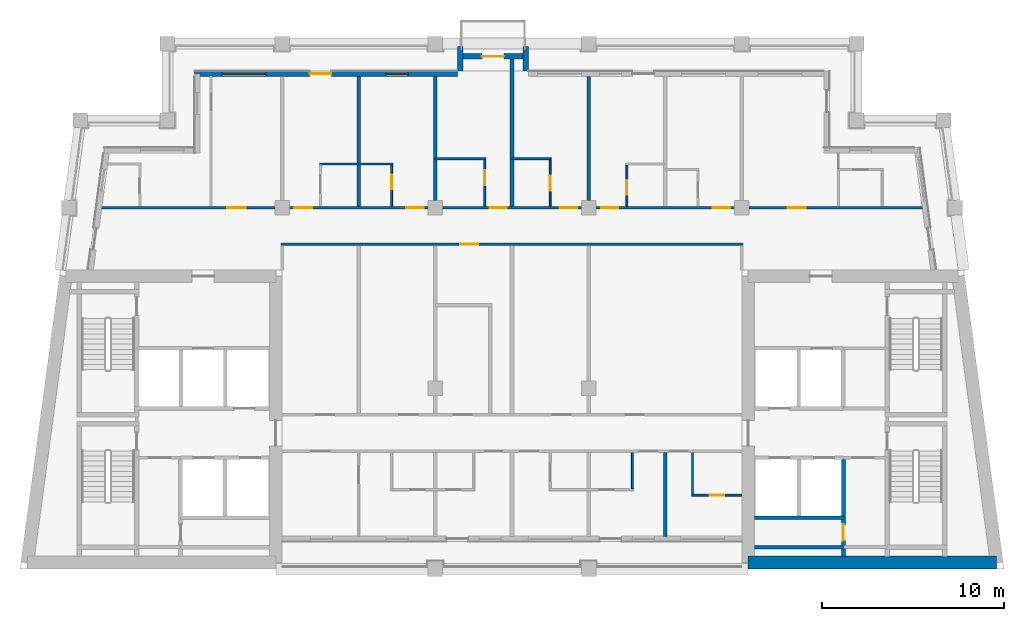
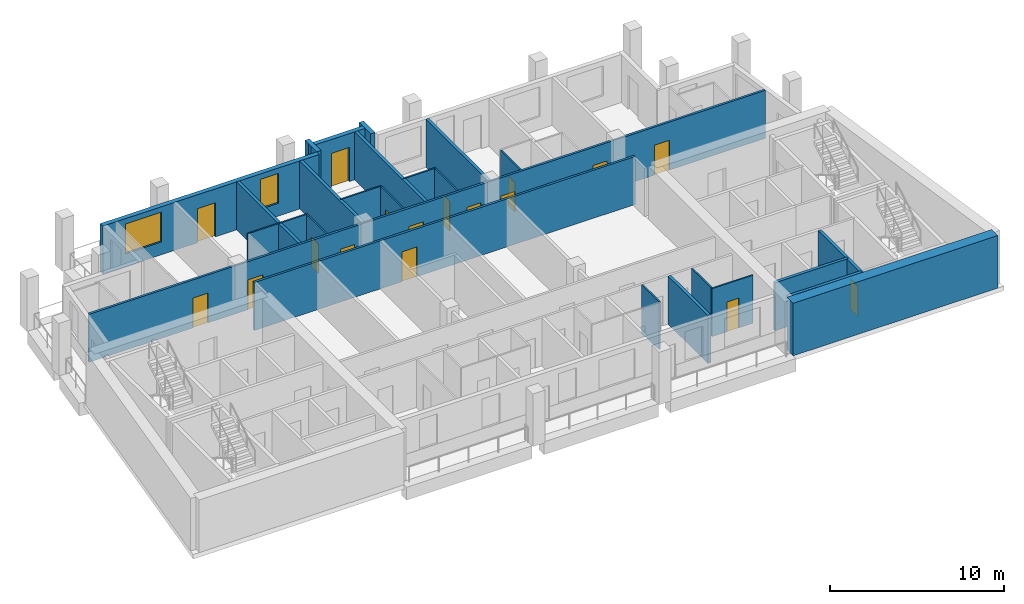
# One storey, part 4 of 9: 25 walls, 17 doors, 2 windows, 19 openings.
"""IFC4 building model written with IfcOpenShell, lengths in metres."""

from ifc_helpers import new_model, si_unit, direction, frame, frame_2d, origin, place, context, subcontext, project, spatial, rectangle, extrude, material, layer, layer_set, type_object, element, fill, save


model = new_model("IFC4")

# Units and contexts
model_context = context("Model", 3, precision=1e-05, world=origin(), true_north=direction((0.0, 1.0)))
body_context = subcontext(model_context, "Body", "Model", "MODEL_VIEW")
ifc_project = project(units=[si_unit("LENGTHUNIT", "METRE"), si_unit("AREAUNIT", "SQUARE_METRE"), si_unit("VOLUMEUNIT", "CUBIC_METRE"), si_unit("PLANEANGLEUNIT", "RADIAN"), si_unit("MASSUNIT", "GRAM", prefix="KILO")], contexts=[model_context])

# Site, building, storey
site_placement = place(None, origin())
site = spatial("IfcSite", under=ifc_project, at=site_placement, CompositionType="ELEMENT")
building_placement = place(site_placement, origin())
building = spatial("IfcBuilding", under=site, at=building_placement, Name="Candeia Pilgrim Tower and Theatre", CompositionType="ELEMENT")
storey_placement = place(building_placement, frame((0.0, 0.0, 296.0)))
storey = spatial("IfcBuildingStorey", under=building, at=storey_placement, Name="L72", CompositionType="ELEMENT", Elevation=296.0)

# Wall
ifc_material_1 = material(Name="Concrete C40/50", Category="concrete")
ifc_layer_1 = layer(ifc_material_1, 0.699951171875)
ifc_layer_set_1 = layer_set([ifc_layer_1], Name="Core wall 700 C40/50")
wall_type_1 = type_object("IfcWallType", Name="Core wall 700 C40/50", PredefinedType="SHEAR", material=ifc_layer_set_1)
wall_1_placement = place(storey_placement, frame((139.9765625, 116.35009765625, 0.0), z_axis=(0.0, 0.0, 1.0), x_axis=(-1.0, 0.0, 0.0)))
element("IfcWall", 1, at=wall_1_placement, inside=storey, type_object=wall_type_1, Name="Core wall E3", PredefinedType="SHEAR", context=body_context, shape_type="SweptSolid", body=[
    extrude(rectangle(XDim=13.62646484375, YDim=0.699951171875, at=frame_2d((6.813232421875, 0.0))), origin(), (0.0, 0.0, 1.0), 3.699951171875),
])

# Wall, openings, door, windows
ifc_material_2 = material(Name="Ceramic block masonry", Category="masonry")
ifc_layer_2 = layer(ifc_material_2, 0.300048828125)
ifc_layer_set_2 = layer_set([ifc_layer_2], Name="EW1 glazing-line wall 300")
wall_type_2 = type_object("IfcWallType", Name="EW1 glazing-line wall 300", PredefinedType="SOLIDWALL", material=ifc_layer_set_2)
wall_2_placement = place(storey_placement, frame((110.39990234375, 143.14990234375, 0.0), z_axis=(0.0, 0.0, 1.0), x_axis=(-1.0, 0.0, 0.0)))
wall_2 = element("IfcWall", 2, at=wall_2_placement, inside=storey, type_object=wall_type_2, Name="External wall L72-5.1", PredefinedType="SOLIDWALL", context=body_context, shape_type="SweptSolid", body=[
    extrude(rectangle(XDim=14.39990234375, YDim=0.300048828125, at=frame_2d((7.199951171875, 0.0))), origin(), (0.0, 0.0, 1.0), 3.3798828125),
])
opening_1_placement = place(wall_2_placement, frame((2.699951171875, 0.0, 0.89990234375)))
opening_1 = element("IfcOpeningElement", 3, at=opening_1_placement, cuts=wall_2, Name="Opening W-B", PredefinedType="OPENING", context=body_context, shape_type="SweptSolid", body=[
    extrude(rectangle(XDim=1.199951171875, YDim=2.10009765625, at=frame_2d((0.60009765625, 1.050048828125))), frame((0.0, 0.16015625, 0.0), z_axis=(0.0, -1.0, 0.0), x_axis=(1.0, 0.0, 0.0)), (0.0, 0.0, 1.0), 0.320068359375),
])
opening_2_placement = place(wall_2_placement, frame((6.89990234375, 0.0, 0.0)))
opening_2 = element("IfcOpeningElement", 4, at=opening_2_placement, cuts=wall_2, Name="Opening L72-ED673", PredefinedType="OPENING", context=body_context, shape_type="SweptSolid", body=[
    extrude(rectangle(XDim=1.199951171875, YDim=2.39990234375, at=frame_2d((0.60009765625, 1.199951171875))), frame((0.0, 0.16015625, 0.0), z_axis=(0.0, -1.0, 0.0), x_axis=(1.0, 0.0, 0.0)), (0.0, 0.0, 1.0), 0.320068359375),
])
opening_3_placement = place(wall_2_placement, frame((10.5, 0.0, 0.89990234375)))
opening_3 = element("IfcOpeningElement", 5, at=opening_3_placement, cuts=wall_2, Name="Opening W-A", PredefinedType="OPENING", context=body_context, shape_type="SweptSolid", body=[
    extrude(rectangle(XDim=2.39990234375, YDim=2.10009765625, at=frame_2d((1.199951171875, 1.050048828125))), frame((0.0, 0.16015625, 0.0), z_axis=(0.0, -1.0, 0.0), x_axis=(1.0, 0.0, 0.0)), (0.0, 0.0, 1.0), 0.320068359375),
])
ifc_material_3 = material(Name="Aluminium framed glazed door", Category="aluminium")
door_type_1 = type_object("IfcDoorType", Name="Loggia door 1200x2400", OperationType="DOUBLE_DOOR_SINGLE_SWING", PredefinedType="DOOR", material=ifc_material_3)
door_1_placement = place(opening_2_placement, origin())
door_1 = element("IfcDoor", 6, at=door_1_placement, inside=storey, type_object=door_type_1, Name="Loggia door L72-ED673", OperationType="DOUBLE_DOOR_SINGLE_SWING", OverallHeight=2.39990234375, OverallWidth=1.199951171875, PredefinedType="DOOR", context=body_context, shape_type="SweptSolid", body=[
    extrude(rectangle(XDim=1.199951171875, YDim=2.39990234375, at=frame_2d((0.60009765625, 1.199951171875))), frame((0.0, 0.02490234375, 0.0), z_axis=(0.0, -1.0, 0.0), x_axis=(1.0, 0.0, 0.0)), (0.0, 0.0, 1.0), 0.050048828125),
])
fill(opening_2, door_1)
ifc_material_4 = material(Name="Aluminium framed double glazing", Category="aluminium")
window_type_1 = type_object("IfcWindowType", Name="W-A window 2400x2100", PartitioningType="DOUBLE_PANEL_VERTICAL", PredefinedType="WINDOW", material=ifc_material_4)
window_1_placement = place(opening_3_placement, origin())
window_1 = element("IfcWindow", 7, at=window_1_placement, inside=storey, type_object=window_type_1, Name="Window W-A L72", OverallHeight=2.10009765625, OverallWidth=2.39990234375, PartitioningType="SINGLE_PANEL", PredefinedType="WINDOW", context=body_context, shape_type="SweptSolid", body=[
    extrude(rectangle(XDim=2.39990234375, YDim=2.10009765625, at=frame_2d((1.199951171875, 1.050048828125))), frame((0.0, 0.030029296875, 0.0), z_axis=(0.0, -1.0, 0.0), x_axis=(1.0, 0.0, 0.0)), (0.0, 0.0, 1.0), 0.06005859375),
])
fill(opening_3, window_1)
window_type_2 = type_object("IfcWindowType", Name="W-B window 1200x2100", PartitioningType="SINGLE_PANEL", PredefinedType="WINDOW", material=ifc_material_4)
window_2_placement = place(opening_1_placement, origin())
window_2 = element("IfcWindow", 8, at=window_2_placement, inside=storey, type_object=window_type_2, Name="Window W-B L72", OverallHeight=2.10009765625, OverallWidth=1.199951171875, PartitioningType="SINGLE_PANEL", PredefinedType="WINDOW", context=body_context, shape_type="SweptSolid", body=[
    extrude(rectangle(XDim=1.199951171875, YDim=2.10009765625, at=frame_2d((0.60009765625, 1.050048828125))), frame((0.0, 0.030029296875, 0.0), z_axis=(0.0, -1.0, 0.0), x_axis=(1.0, 0.0, 0.0)), (0.0, 0.0, 1.0), 0.06005859375),
])
fill(opening_1, window_2)

# Walls
ifc_layer_3 = layer(ifc_material_2, 0.300048828125)
ifc_layer_set_3 = layer_set([ifc_layer_3], Name="EW2 entrance infill wall 300")
wall_type_3 = type_object("IfcWallType", Name="EW2 entrance infill wall 300", PredefinedType="SOLIDWALL", material=ifc_layer_set_3)
for number, where, z_axis, x_axis, name in (
    (9, (114.14990234375, 143.300048828125, 0.0), (0.0, 0.0, 1.0), (0.0, 1.0, 0.0), "Alcove wall L72"),
    (10, (110.550048828125, 143.300048828125, 0.0), (0.0, 0.0, 1.0), (0.0, 1.0, 0.0), "Alcove wall L72"),
):
    element("IfcWall", number, at=place(storey_placement, frame(where, z_axis=z_axis, x_axis=x_axis)), inside=storey, type_object=wall_type_3, Name=name, PredefinedType="SOLIDWALL", context=body_context, shape_type="SweptSolid", body=[
        extrude(rectangle(XDim=1.349853515625, YDim=0.300048828125, at=frame_2d((0.6748046875, 0.0))), origin(), (0.0, 0.0, 1.0), 3.3798828125),
    ])

# Wall, opening, door
wall_3_placement = place(storey_placement, frame((114.300048828125, 144.10009765625, 0.0), z_axis=(0.0, 0.0, 1.0), x_axis=(-1.0, 0.0, 0.0)))
wall_3 = element("IfcWall", 11, at=wall_3_placement, inside=storey, type_object=wall_type_3, Name="Alcove wall L72", PredefinedType="SOLIDWALL", context=body_context, shape_type="SweptSolid", body=[
    extrude(rectangle(XDim=3.900146484375, YDim=0.300048828125, at=frame_2d((1.9501953125, 0.0))), origin(), (0.0, 0.0, 1.0), 3.3798828125),
])
opening_4_placement = place(wall_3_placement, frame((1.35009765625, 0.0, 0.0)))
opening_4 = element("IfcOpeningElement", 12, at=opening_4_placement, cuts=wall_3, Name="Opening L72-ED674", PredefinedType="OPENING", context=body_context, shape_type="SweptSolid", body=[
    extrude(rectangle(XDim=1.199951171875, YDim=2.39990234375, at=frame_2d((0.60009765625, 1.199951171875))), frame((0.0, 0.16015625, 0.0), z_axis=(0.0, -1.0, 0.0), x_axis=(1.0, 0.0, 0.0)), (0.0, 0.0, 1.0), 0.320068359375),
])
door_2_placement = place(opening_4_placement, origin())
door_2 = element("IfcDoor", 13, at=door_2_placement, inside=storey, type_object=door_type_1, Name="Balcony door L72-ED674", OperationType="DOUBLE_DOOR_SINGLE_SWING", OverallHeight=2.39990234375, OverallWidth=1.199951171875, PredefinedType="DOOR", context=body_context, shape_type="SweptSolid", body=[
    extrude(rectangle(XDim=1.199951171875, YDim=2.39990234375, at=frame_2d((0.60009765625, 1.199951171875))), frame((0.0, 0.02490234375, 0.0), z_axis=(0.0, -1.0, 0.0), x_axis=(1.0, 0.0, 0.0)), (0.0, 0.0, 1.0), 0.050048828125),
])
fill(opening_4, door_2)

ifc_material_5 = material(Name="Gypsum board partition on steel studs", Category="steel")
ifc_layer_4 = layer(ifc_material_5, 0.10009765625)
ifc_layer_set_4 = layer_set([ifc_layer_4], Name="PW-100 room partition")
wall_type_4 = type_object("IfcWallType", Name="PW-100 room partition", PredefinedType="PARTITIONING", material=ifc_layer_set_4)
wall_4_placement = place(storey_placement, frame((123.25, 120.050048828125, 0.0), z_axis=(0.0, 0.0, 1.0), x_axis=(1.0, 0.0, 0.0)))
wall_4 = element("IfcWall", 14, at=wall_4_placement, inside=storey, type_object=wall_type_4, Name="Room partition L72-009", PredefinedType="PARTITIONING", context=body_context, shape_type="SweptSolid", body=[
    extrude(rectangle(XDim=2.75, YDim=0.10009765625, at=frame_2d((1.375, 0.0))), origin(), (0.0, 0.0, 1.0), 3.3798828125),
])
opening_5_placement = place(wall_4_placement, frame((1.0, 0.0, 0.0)))
opening_5 = element("IfcOpeningElement", 15, at=opening_5_placement, cuts=wall_4, Name="Opening L72-D019", PredefinedType="OPENING", context=body_context, shape_type="SweptSolid", body=[
    extrude(rectangle(XDim=0.800048828125, YDim=2.10009765625, at=frame_2d((0.39990234375, 1.050048828125))), frame((0.0, 0.06005859375, 0.0), z_axis=(0.0, -1.0, 0.0), x_axis=(1.0, 0.0, 0.0)), (0.0, 0.0, 1.0), 0.1201171875),
])
ifc_material_6 = material(Name="Timber door leaf", Category="wood")
door_type_2 = type_object("IfcDoorType", Name="D-800", OperationType="NOTDEFINED", PredefinedType="DOOR", material=ifc_material_6)
door_3_placement = place(opening_5_placement, origin())
door_3 = element("IfcDoor", 16, at=door_3_placement, inside=storey, type_object=door_type_2, Name="Door L72-D019", OperationType="SINGLE_SWING_LEFT", OverallHeight=2.10009765625, OverallWidth=0.800048828125, PredefinedType="DOOR", context=body_context, shape_type="SweptSolid", body=[
    extrude(rectangle(XDim=0.800048828125, YDim=2.10009765625, at=frame_2d((0.39990234375, 1.050048828125))), frame((0.0, 0.02490234375, 0.0), z_axis=(0.0, -1.0, 0.0), x_axis=(1.0, 0.0, 0.0)), (0.0, 0.0, 1.0), 0.050048828125),
])
fill(opening_5, door_3)

# Walls
wall_5_placement = place(storey_placement, frame((102.85009765625, 138.199951171875, 0.0), z_axis=(0.0, 0.0, 1.0), x_axis=(1.0, 0.0, 0.0)))
element("IfcWall", 17, at=wall_5_placement, inside=storey, type_object=wall_type_4, Name="Room partition L72-036", PredefinedType="PARTITIONING", context=body_context, shape_type="SweptSolid", body=[
    extrude(rectangle(XDim=4.0, YDim=0.10009765625, at=frame_2d((2.0, 0.0))), origin(), (0.0, 0.0, 1.0), 3.3798828125),
])
wall_6_placement = place(storey_placement, frame((109.199951171875, 138.5, 0.0), z_axis=(0.0, 0.0, 1.0), x_axis=(1.0, 0.0, 0.0)))
element("IfcWall", 18, at=wall_6_placement, inside=storey, type_object=wall_type_4, Name="Room partition L72-038", PredefinedType="PARTITIONING", context=body_context, shape_type="SweptSolid", body=[
    extrude(rectangle(XDim=2.75, YDim=0.10009765625, at=frame_2d((1.375, 0.0))), origin(), (0.0, 0.0, 1.0), 3.3798828125),
])
wall_7_placement = place(storey_placement, frame((113.39990234375, 138.5, 0.0), z_axis=(0.0, 0.0, 1.0), x_axis=(1.0, 0.0, 0.0)))
element("IfcWall", 19, at=wall_7_placement, inside=storey, type_object=wall_type_4, Name="Room partition L72-039", PredefinedType="PARTITIONING", context=body_context, shape_type="SweptSolid", body=[
    extrude(rectangle(XDim=2.150146484375, YDim=0.10009765625, at=frame_2d((1.0751953125, 0.0))), origin(), (0.0, 0.0, 1.0), 3.3798828125),
])

# Wall, opening, door
wall_8_placement = place(storey_placement, frame((106.800048828125, 135.875, 0.0), z_axis=(0.0, 0.0, 1.0), x_axis=(0.0, 1.0, 0.0)))
wall_8 = element("IfcWall", 20, at=wall_8_placement, inside=storey, type_object=wall_type_4, Name="Room partition L72-058", PredefinedType="PARTITIONING", context=body_context, shape_type="SweptSolid", body=[
    extrude(rectangle(XDim=2.27490234375, YDim=0.10009765625, at=frame_2d((1.137451171875, 0.0))), origin(), (0.0, 0.0, 1.0), 3.3798828125),
])
opening_6_placement = place(wall_8_placement, frame((0.949951171875, 0.0, 0.0)))
opening_6 = element("IfcOpeningElement", 21, at=opening_6_placement, cuts=wall_8, Name="Opening L72-D026", PredefinedType="OPENING", context=body_context, shape_type="SweptSolid", body=[
    extrude(rectangle(XDim=0.800048828125, YDim=2.10009765625, at=frame_2d((0.39990234375, 1.050048828125))), frame((0.0, 0.06005859375, 0.0), z_axis=(0.0, -1.0, 0.0), x_axis=(1.0, 0.0, 0.0)), (0.0, 0.0, 1.0), 0.1201171875),
])
door_4_placement = place(opening_6_placement, origin())
door_4 = element("IfcDoor", 22, at=door_4_placement, inside=storey, type_object=door_type_2, Name="Door L72-D026", OperationType="SINGLE_SWING_RIGHT", OverallHeight=2.10009765625, OverallWidth=0.800048828125, PredefinedType="DOOR", context=body_context, shape_type="SweptSolid", body=[
    extrude(rectangle(XDim=0.800048828125, YDim=2.10009765625, at=frame_2d((0.39990234375, 1.050048828125))), frame((0.0, 0.02490234375, 0.0), z_axis=(0.0, -1.0, 0.0), x_axis=(1.0, 0.0, 0.0)), (0.0, 0.0, 1.0), 0.050048828125),
])
fill(opening_6, door_4)

wall_9_placement = place(storey_placement, frame((111.89990234375, 135.875, 0.0), z_axis=(0.0, 0.0, 1.0), x_axis=(0.0, 1.0, 0.0)))
wall_9 = element("IfcWall", 23, at=wall_9_placement, inside=storey, type_object=wall_type_4, Name="Room partition L72-063", PredefinedType="PARTITIONING", context=body_context, shape_type="SweptSolid", body=[
    extrude(rectangle(XDim=2.574951171875, YDim=0.10009765625, at=frame_2d((1.28759765625, 0.0))), origin(), (0.0, 0.0, 1.0), 3.3798828125),
])
opening_7_placement = place(wall_9_placement, frame((1.175048828125, 0.0, 0.0)))
opening_7 = element("IfcOpeningElement", 24, at=opening_7_placement, cuts=wall_9, Name="Opening L72-D028", PredefinedType="OPENING", context=body_context, shape_type="SweptSolid", body=[
    extrude(rectangle(XDim=0.800048828125, YDim=2.10009765625, at=frame_2d((0.39990234375, 1.050048828125))), frame((0.0, 0.06005859375, 0.0), z_axis=(0.0, -1.0, 0.0), x_axis=(1.0, 0.0, 0.0)), (0.0, 0.0, 1.0), 0.1201171875),
])
door_5_placement = place(opening_7_placement, origin())
door_5 = element("IfcDoor", 25, at=door_5_placement, inside=storey, type_object=door_type_2, Name="Door L72-D028", OperationType="SINGLE_SWING_RIGHT", OverallHeight=2.10009765625, OverallWidth=0.800048828125, PredefinedType="DOOR", context=body_context, shape_type="SweptSolid", body=[
    extrude(rectangle(XDim=0.800048828125, YDim=2.10009765625, at=frame_2d((0.39990234375, 1.050048828125))), frame((0.0, 0.02490234375, 0.0), z_axis=(0.0, -1.0, 0.0), x_axis=(1.0, 0.0, 0.0)), (0.0, 0.0, 1.0), 0.050048828125),
])
fill(opening_7, door_5)

wall_10_placement = place(storey_placement, frame((115.5, 135.875, 0.0), z_axis=(0.0, 0.0, 1.0), x_axis=(0.0, 1.0, 0.0)))
wall_10 = element("IfcWall", 26, at=wall_10_placement, inside=storey, type_object=wall_type_4, Name="Room partition L72-069", PredefinedType="PARTITIONING", context=body_context, shape_type="SweptSolid", body=[
    extrude(rectangle(XDim=2.574951171875, YDim=0.10009765625, at=frame_2d((1.28759765625, 0.0))), origin(), (0.0, 0.0, 1.0), 3.3798828125),
])
opening_8_placement = place(wall_10_placement, frame((0.875, 0.0, 0.0)))
opening_8 = element("IfcOpeningElement", 27, at=opening_8_placement, cuts=wall_10, Name="Opening L72-D030", PredefinedType="OPENING", context=body_context, shape_type="SweptSolid", body=[
    extrude(rectangle(XDim=0.800048828125, YDim=2.10009765625, at=frame_2d((0.39990234375, 1.050048828125))), frame((0.0, 0.06005859375, 0.0), z_axis=(0.0, -1.0, 0.0), x_axis=(1.0, 0.0, 0.0)), (0.0, 0.0, 1.0), 0.1201171875),
])
door_6_placement = place(opening_8_placement, origin())
door_6 = element("IfcDoor", 28, at=door_6_placement, inside=storey, type_object=door_type_2, Name="Door L72-D030", OperationType="SINGLE_SWING_RIGHT", OverallHeight=2.10009765625, OverallWidth=0.800048828125, PredefinedType="DOOR", context=body_context, shape_type="SweptSolid", body=[
    extrude(rectangle(XDim=0.800048828125, YDim=2.10009765625, at=frame_2d((0.39990234375, 1.050048828125))), frame((0.0, 0.02490234375, 0.0), z_axis=(0.0, -1.0, 0.0), x_axis=(1.0, 0.0, 0.0)), (0.0, 0.0, 1.0), 0.050048828125),
])
fill(opening_8, door_6)

wall_11_placement = place(storey_placement, frame((119.699951171875, 135.875, 0.0), z_axis=(0.0, 0.0, 1.0), x_axis=(0.0, 1.0, 0.0)))
wall_11 = element("IfcWall", 29, at=wall_11_placement, inside=storey, type_object=wall_type_4, Name="Room partition L72-073", PredefinedType="PARTITIONING", context=body_context, shape_type="SweptSolid", body=[
    extrude(rectangle(XDim=2.27490234375, YDim=0.10009765625, at=frame_2d((1.137451171875, 0.0))), origin(), (0.0, 0.0, 1.0), 3.3798828125),
])
opening_9_placement = place(wall_11_placement, frame((0.635009765625, 0.0, 0.0)))
opening_9 = element("IfcOpeningElement", 30, at=opening_9_placement, cuts=wall_11, Name="Opening L72-D032", PredefinedType="OPENING", context=body_context, shape_type="SweptSolid", body=[
    extrude(rectangle(XDim=0.800048828125, YDim=2.10009765625, at=frame_2d((0.39990234375, 1.050048828125))), frame((0.0, 0.06005859375, 0.0), z_axis=(0.0, -1.0, 0.0), x_axis=(1.0, 0.0, 0.0)), (0.0, 0.0, 1.0), 0.1201171875),
])
door_7_placement = place(opening_9_placement, origin())
door_7 = element("IfcDoor", 31, at=door_7_placement, inside=storey, type_object=door_type_2, Name="Door L72-D032", OperationType="SINGLE_SWING_RIGHT", OverallHeight=2.10009765625, OverallWidth=0.800048828125, PredefinedType="DOOR", context=body_context, shape_type="SweptSolid", body=[
    extrude(rectangle(XDim=0.800048828125, YDim=2.10009765625, at=frame_2d((0.39990234375, 1.050048828125))), frame((0.0, 0.02490234375, 0.0), z_axis=(0.0, -1.0, 0.0), x_axis=(1.0, 0.0, 0.0)), (0.0, 0.0, 1.0), 0.050048828125),
])
fill(opening_9, door_7)

# Walls
wall_12_placement = place(storey_placement, frame((120.0, 120.39990234375, 0.0), z_axis=(0.0, 0.0, 1.0), x_axis=(0.0, 1.0, 0.0)))
element("IfcWall", 32, at=wall_12_placement, inside=storey, type_object=wall_type_4, Name="Room partition L72-074", PredefinedType="PARTITIONING", context=body_context, shape_type="SweptSolid", body=[
    extrude(rectangle(XDim=1.97509765625, YDim=0.10009765625, at=frame_2d((0.987548828125, 0.0))), origin(), (0.0, 0.0, 1.0), 3.3798828125),
])
wall_13_placement = place(storey_placement, frame((123.300048828125, 120.10009765625, 0.0), z_axis=(0.0, 0.0, 1.0), x_axis=(0.0, 1.0, 0.0)))
element("IfcWall", 33, at=wall_13_placement, inside=storey, type_object=wall_type_4, Name="Room partition L72-077", PredefinedType="PARTITIONING", context=body_context, shape_type="SweptSolid", body=[
    extrude(rectangle(XDim=2.27490234375, YDim=0.10009765625, at=frame_2d((1.137451171875, 0.0))), origin(), (0.0, 0.0, 1.0), 3.3798828125),
])

# Wall, opening, door
ifc_layer_5 = layer(ifc_material_5, 0.14990234375)
ifc_layer_set_5 = layer_set([ifc_layer_5], Name="PW-150 unit wall")
wall_type_5 = type_object("IfcWallType", Name="PW-150 unit wall", PredefinedType="PARTITIONING", material=ifc_layer_set_5)
wall_14_placement = place(storey_placement, frame((100.72509765625, 133.800048828125, 0.0), z_axis=(0.0, 0.0, 1.0), x_axis=(1.0, 0.0, 0.0)))
wall_14 = element("IfcWall", 34, at=wall_14_placement, inside=storey, type_object=wall_type_5, Name="Unit wall L72-031", PredefinedType="PARTITIONING", context=body_context, shape_type="SweptSolid", body=[
    extrude(rectangle(XDim=25.349853515625, YDim=0.14990234375, at=frame_2d((12.6748046875, 0.0))), origin(), (0.0, 0.0, 1.0), 3.3798828125),
])
opening_10_placement = place(wall_14_placement, frame((9.824951171875, 0.0, 0.0)))
opening_10 = element("IfcOpeningElement", 35, at=opening_10_placement, cuts=wall_14, Name="Opening L72-D038", PredefinedType="OPENING", context=body_context, shape_type="SweptSolid", body=[
    extrude(rectangle(XDim=1.0, YDim=2.10009765625, at=frame_2d((0.5, 1.050048828125))), frame((0.0, 0.0849609375, 0.0), z_axis=(0.0, -1.0, 0.0), x_axis=(1.0, 0.0, 0.0)), (0.0, 0.0, 1.0), 0.169921875),
])
ifc_material_7 = material(Name="Steel fire door set", Category="steel")
door_type_3 = type_object("IfcDoorType", Name="D-1000-FD30S", OperationType="NOTDEFINED", PredefinedType="DOOR", material=ifc_material_7)
door_8_placement = place(opening_10_placement, origin())
door_8 = element("IfcDoor", 36, at=door_8_placement, inside=storey, type_object=door_type_3, Name="Door L72-D038", OperationType="SINGLE_SWING_RIGHT", OverallHeight=2.10009765625, OverallWidth=1.0, PredefinedType="DOOR", context=body_context, shape_type="SweptSolid", body=[
    extrude(rectangle(XDim=1.0, YDim=2.10009765625, at=frame_2d((0.5, 1.050048828125))), frame((0.0, 0.02490234375, 0.0), z_axis=(0.0, -1.0, 0.0), x_axis=(1.0, 0.0, 0.0)), (0.0, 0.0, 1.0), 0.050048828125),
])
fill(opening_10, door_8)

# Wall, openings, doors
wall_15_placement = place(storey_placement, frame((90.89453125, 135.800048828125, 0.0), z_axis=(0.0, 0.0, 1.0), x_axis=(1.0, 0.0, 0.0)))
wall_15 = element("IfcWall", 37, at=wall_15_placement, inside=storey, type_object=wall_type_5, Name="Unit wall L72-032", PredefinedType="PARTITIONING", context=body_context, shape_type="SweptSolid", body=[
    extrude(rectangle(XDim=45.010986328125, YDim=0.14990234375, at=frame_2d((22.50537109375, 0.0))), origin(), (0.0, 0.0, 1.0), 3.3798828125),
])
opening_11_placement = place(wall_15_placement, frame((6.905517578125, 0.0, 0.0)))
opening_11 = element("IfcOpeningElement", 38, at=opening_11_placement, cuts=wall_15, Name="Opening L72-D020", PredefinedType="OPENING", context=body_context, shape_type="SweptSolid", body=[
    extrude(rectangle(XDim=1.0, YDim=2.10009765625, at=frame_2d((0.5, 1.050048828125))), frame((0.0, 0.0849609375, 0.0), z_axis=(0.0, -1.0, 0.0), x_axis=(1.0, 0.0, 0.0)), (0.0, 0.0, 1.0), 0.169921875),
])
opening_12_placement = place(wall_15_placement, frame((10.555419921875, 0.0, 0.0)))
opening_12 = element("IfcOpeningElement", 39, at=opening_12_placement, cuts=wall_15, Name="Opening L72-D023", PredefinedType="OPENING", context=body_context, shape_type="SweptSolid", body=[
    extrude(rectangle(XDim=1.0, YDim=2.10009765625, at=frame_2d((0.5, 1.050048828125))), frame((0.0, 0.0849609375, 0.0), z_axis=(0.0, -1.0, 0.0), x_axis=(1.0, 0.0, 0.0)), (0.0, 0.0, 1.0), 0.169921875),
])
opening_13_placement = place(wall_15_placement, frame((16.718505859375, 0.0, 0.0)))
opening_13 = element("IfcOpeningElement", 40, at=opening_13_placement, cuts=wall_15, Name="Opening L72-D025", PredefinedType="OPENING", context=body_context, shape_type="SweptSolid", body=[
    extrude(rectangle(XDim=0.949951171875, YDim=2.10009765625, at=frame_2d((0.47509765625, 1.050048828125))), frame((0.0, 0.0849609375, 0.0), z_axis=(0.0, -1.0, 0.0), x_axis=(1.0, 0.0, 0.0)), (0.0, 0.0, 1.0), 0.169921875),
])
opening_14_placement = place(wall_15_placement, frame((21.280517578125, 0.0, 0.0)))
opening_14 = element("IfcOpeningElement", 41, at=opening_14_placement, cuts=wall_15, Name="Opening L72-D027", PredefinedType="OPENING", context=body_context, shape_type="SweptSolid", body=[
    extrude(rectangle(XDim=0.949951171875, YDim=2.10009765625, at=frame_2d((0.47509765625, 1.050048828125))), frame((0.0, 0.0849609375, 0.0), z_axis=(0.0, -1.0, 0.0), x_axis=(1.0, 0.0, 0.0)), (0.0, 0.0, 1.0), 0.169921875),
])
opening_15_placement = place(wall_15_placement, frame((25.12548828125, 0.0, 0.0)))
opening_15 = element("IfcOpeningElement", 42, at=opening_15_placement, cuts=wall_15, Name="Opening L72-D029", PredefinedType="OPENING", context=body_context, shape_type="SweptSolid", body=[
    extrude(rectangle(XDim=0.949951171875, YDim=2.10009765625, at=frame_2d((0.47509765625, 1.050048828125))), frame((0.0, 0.0849609375, 0.0), z_axis=(0.0, -1.0, 0.0), x_axis=(1.0, 0.0, 0.0)), (0.0, 0.0, 1.0), 0.169921875),
])
opening_16_placement = place(wall_15_placement, frame((27.393310546875, 0.0, 0.0)))
opening_16 = element("IfcOpeningElement", 43, at=opening_16_placement, cuts=wall_15, Name="Opening L72-D031", PredefinedType="OPENING", context=body_context, shape_type="SweptSolid", body=[
    extrude(rectangle(XDim=0.949951171875, YDim=2.10009765625, at=frame_2d((0.47509765625, 1.050048828125))), frame((0.0, 0.0849609375, 0.0), z_axis=(0.0, -1.0, 0.0), x_axis=(1.0, 0.0, 0.0)), (0.0, 0.0, 1.0), 0.169921875),
])
opening_17_placement = place(wall_15_placement, frame((33.518310546875, 0.0, 0.0)))
opening_17 = element("IfcOpeningElement", 44, at=opening_17_placement, cuts=wall_15, Name="Opening L72-D033", PredefinedType="OPENING", context=body_context, shape_type="SweptSolid", body=[
    extrude(rectangle(XDim=0.949951171875, YDim=2.10009765625, at=frame_2d((0.47509765625, 1.050048828125))), frame((0.0, 0.0849609375, 0.0), z_axis=(0.0, -1.0, 0.0), x_axis=(1.0, 0.0, 0.0)), (0.0, 0.0, 1.0), 0.169921875),
])
opening_18_placement = place(wall_15_placement, frame((37.615478515625, 0.0, 0.0)))
opening_18 = element("IfcOpeningElement", 45, at=opening_18_placement, cuts=wall_15, Name="Opening L72-D035", PredefinedType="OPENING", context=body_context, shape_type="SweptSolid", body=[
    extrude(rectangle(XDim=1.0, YDim=2.10009765625, at=frame_2d((0.5, 1.050048828125))), frame((0.0, 0.0849609375, 0.0), z_axis=(0.0, -1.0, 0.0), x_axis=(1.0, 0.0, 0.0)), (0.0, 0.0, 1.0), 0.169921875),
])
door_9_placement = place(opening_11_placement, origin())
door_9 = element("IfcDoor", 46, at=door_9_placement, inside=storey, type_object=door_type_3, Name="Door L72-D020", OperationType="SINGLE_SWING_RIGHT", OverallHeight=2.10009765625, OverallWidth=1.0, PredefinedType="DOOR", context=body_context, shape_type="SweptSolid", body=[
    extrude(rectangle(XDim=1.0, YDim=2.10009765625, at=frame_2d((0.5, 1.050048828125))), frame((0.0, 0.02490234375, 0.0), z_axis=(0.0, -1.0, 0.0), x_axis=(1.0, 0.0, 0.0)), (0.0, 0.0, 1.0), 0.050048828125),
])
fill(opening_11, door_9)
door_10_placement = place(opening_12_placement, origin())
door_10 = element("IfcDoor", 47, at=door_10_placement, inside=storey, type_object=door_type_3, Name="Door L72-D023", OperationType="SINGLE_SWING_LEFT", OverallHeight=2.10009765625, OverallWidth=1.0, PredefinedType="DOOR", context=body_context, shape_type="SweptSolid", body=[
    extrude(rectangle(XDim=1.0, YDim=2.10009765625, at=frame_2d((0.5, 1.050048828125))), frame((0.0, 0.02490234375, 0.0), z_axis=(0.0, -1.0, 0.0), x_axis=(1.0, 0.0, 0.0)), (0.0, 0.0, 1.0), 0.050048828125),
])
fill(opening_12, door_10)
door_11_placement = place(opening_18_placement, origin())
door_11 = element("IfcDoor", 48, at=door_11_placement, inside=storey, type_object=door_type_3, Name="Door L72-D035", OperationType="SINGLE_SWING_LEFT", OverallHeight=2.10009765625, OverallWidth=1.0, PredefinedType="DOOR", context=body_context, shape_type="SweptSolid", body=[
    extrude(rectangle(XDim=1.0, YDim=2.10009765625, at=frame_2d((0.5, 1.050048828125))), frame((0.0, 0.02490234375, 0.0), z_axis=(0.0, -1.0, 0.0), x_axis=(1.0, 0.0, 0.0)), (0.0, 0.0, 1.0), 0.050048828125),
])
fill(opening_18, door_11)
door_type_4 = type_object("IfcDoorType", Name="D-950-FD30S", OperationType="NOTDEFINED", PredefinedType="DOOR", material=ifc_material_7)
door_12_placement = place(opening_13_placement, origin())
door_12 = element("IfcDoor", 49, at=door_12_placement, inside=storey, type_object=door_type_4, Name="Door L72-D025", OperationType="SINGLE_SWING_LEFT", OverallHeight=2.10009765625, OverallWidth=0.949951171875, PredefinedType="DOOR", context=body_context, shape_type="SweptSolid", body=[
    extrude(rectangle(XDim=0.949951171875, YDim=2.10009765625, at=frame_2d((0.47509765625, 1.050048828125))), frame((0.0, 0.02490234375, 0.0), z_axis=(0.0, -1.0, 0.0), x_axis=(1.0, 0.0, 0.0)), (0.0, 0.0, 1.0), 0.050048828125),
])
fill(opening_13, door_12)
door_13_placement = place(opening_14_placement, origin())
door_13 = element("IfcDoor", 50, at=door_13_placement, inside=storey, type_object=door_type_4, Name="Door L72-D027", OperationType="SINGLE_SWING_LEFT", OverallHeight=2.10009765625, OverallWidth=0.949951171875, PredefinedType="DOOR", context=body_context, shape_type="SweptSolid", body=[
    extrude(rectangle(XDim=0.949951171875, YDim=2.10009765625, at=frame_2d((0.47509765625, 1.050048828125))), frame((0.0, 0.02490234375, 0.0), z_axis=(0.0, -1.0, 0.0), x_axis=(1.0, 0.0, 0.0)), (0.0, 0.0, 1.0), 0.050048828125),
])
fill(opening_14, door_13)
door_14_placement = place(opening_15_placement, origin())
door_14 = element("IfcDoor", 51, at=door_14_placement, inside=storey, type_object=door_type_4, Name="Door L72-D029", OperationType="SINGLE_SWING_LEFT", OverallHeight=2.10009765625, OverallWidth=0.949951171875, PredefinedType="DOOR", context=body_context, shape_type="SweptSolid", body=[
    extrude(rectangle(XDim=0.949951171875, YDim=2.10009765625, at=frame_2d((0.47509765625, 1.050048828125))), frame((0.0, 0.02490234375, 0.0), z_axis=(0.0, -1.0, 0.0), x_axis=(1.0, 0.0, 0.0)), (0.0, 0.0, 1.0), 0.050048828125),
])
fill(opening_15, door_14)
door_15_placement = place(opening_16_placement, origin())
door_15 = element("IfcDoor", 52, at=door_15_placement, inside=storey, type_object=door_type_4, Name="Door L72-D031", OperationType="SINGLE_SWING_LEFT", OverallHeight=2.10009765625, OverallWidth=0.949951171875, PredefinedType="DOOR", context=body_context, shape_type="SweptSolid", body=[
    extrude(rectangle(XDim=0.949951171875, YDim=2.10009765625, at=frame_2d((0.47509765625, 1.050048828125))), frame((0.0, 0.02490234375, 0.0), z_axis=(0.0, -1.0, 0.0), x_axis=(1.0, 0.0, 0.0)), (0.0, 0.0, 1.0), 0.050048828125),
])
fill(opening_16, door_15)
door_16_placement = place(opening_17_placement, origin())
door_16 = element("IfcDoor", 53, at=door_16_placement, inside=storey, type_object=door_type_4, Name="Door L72-D033", OperationType="SINGLE_SWING_LEFT", OverallHeight=2.10009765625, OverallWidth=0.949951171875, PredefinedType="DOOR", context=body_context, shape_type="SweptSolid", body=[
    extrude(rectangle(XDim=0.949951171875, YDim=2.10009765625, at=frame_2d((0.47509765625, 1.050048828125))), frame((0.0, 0.02490234375, 0.0), z_axis=(0.0, -1.0, 0.0), x_axis=(1.0, 0.0, 0.0)), (0.0, 0.0, 1.0), 0.050048828125),
])
fill(opening_17, door_16)

# Walls
ifc_layer_6 = layer(ifc_material_5, 0.199951171875)
ifc_layer_set_6 = layer_set([ifc_layer_6], Name="PW-200 party wall")
wall_type_6 = type_object("IfcWallType", Name="PW-200 party wall", PredefinedType="PARTITIONING", material=ifc_layer_set_6)
for number, where, z_axis, x_axis, name in (
    (54, (105.0, 135.875, 0.0), (0.0, 0.0, 1.0), (0.0, 1.0, 0.0), "Party wall L72-056"),
    (55, (109.199951171875, 135.875, 0.0), (0.0, 0.0, 1.0), (0.0, 1.0, 0.0), "Party wall L72-061"),
):
    element("IfcWall", number, at=place(storey_placement, frame(where, z_axis=z_axis, x_axis=x_axis)), inside=storey, type_object=wall_type_6, Name=name, PredefinedType="PARTITIONING", context=body_context, shape_type="SweptSolid", body=[
        extrude(rectangle(XDim=7.135009765625, YDim=0.199951171875, at=frame_2d((3.5673828125, 0.0))), origin(), (0.0, 0.0, 1.0), 3.3798828125),
    ])
wall_16_placement = place(storey_placement, frame((113.39990234375, 135.875, 0.0), z_axis=(0.0, 0.0, 1.0), x_axis=(0.0, 1.0, 0.0)))
element("IfcWall", 56, at=wall_16_placement, inside=storey, type_object=wall_type_6, Name="Party wall L72-067", PredefinedType="PARTITIONING", context=body_context, shape_type="SweptSolid", body=[
    extrude(rectangle(XDim=8.0849609375, YDim=0.199951171875, at=frame_2d((4.04248046875, 0.0))), origin(), (0.0, 0.0, 1.0), 3.3798828125),
])
wall_17_placement = place(storey_placement, frame((117.60009765625, 135.875, 0.0), z_axis=(0.0, 0.0, 1.0), x_axis=(0.0, 1.0, 0.0)))
element("IfcWall", 57, at=wall_17_placement, inside=storey, type_object=wall_type_6, Name="Party wall L72-072", PredefinedType="PARTITIONING", context=body_context, shape_type="SweptSolid", body=[
    extrude(rectangle(XDim=7.135009765625, YDim=0.199951171875, at=frame_2d((3.5673828125, 0.0))), origin(), (0.0, 0.0, 1.0), 3.3798828125),
])
wall_18_placement = place(storey_placement, frame((121.800048828125, 117.7900390625, 0.0), z_axis=(0.0, 0.0, 1.0), x_axis=(0.0, 1.0, 0.0)))
element("IfcWall", 58, at=wall_18_placement, inside=storey, type_object=wall_type_6, Name="Party wall L72-075", PredefinedType="PARTITIONING", context=body_context, shape_type="SweptSolid", body=[
    extrude(rectangle(XDim=4.5849609375, YDim=0.199951171875, at=frame_2d((2.29248046875, 0.0))), origin(), (0.0, 0.0, 1.0), 3.3798828125),
])
ifc_layer_7 = layer(ifc_material_1, 0.199951171875)
ifc_layer_set_7 = layer_set([ifc_layer_7], Name="SW-200 shaft wall")
wall_type_7 = type_object("IfcWallType", Name="SW-200 shaft wall", PredefinedType="PARTITIONING", material=ifc_layer_set_7)
for number, where, z_axis, x_axis, name in (
    (59, (126.699951171875, 117.199951171875, 0.0), (0.0, 0.0, 1.0), (1.0, 0.0, 0.0), "Shaft wall L72-002"),
    (60, (126.699951171875, 118.800048828125, 0.0), (0.0, 0.0, 1.0), (1.0, 0.0, 0.0), "Shaft wall L72-008"),
):
    element("IfcWall", number, at=place(storey_placement, frame(where, z_axis=z_axis, x_axis=x_axis)), inside=storey, type_object=wall_type_7, Name=name, PredefinedType="PARTITIONING", context=body_context, shape_type="SweptSolid", body=[
        extrude(rectangle(XDim=4.873046875, YDim=0.199951171875, at=frame_2d((2.4365234375, 0.0))), origin(), (0.0, 0.0, 1.0), 3.3798828125),
    ])

# Wall, opening, door
wall_19_placement = place(storey_placement, frame((131.572998046875, 116.669921875, 0.0), z_axis=(0.0, 0.0, 1.0), x_axis=(0.0, 1.0, 0.0)))
wall_19 = element("IfcWall", 61, at=wall_19_placement, inside=storey, type_object=wall_type_7, Name="Shaft wall L72-085", PredefinedType="PARTITIONING", context=body_context, shape_type="SweptSolid", body=[
    extrude(rectangle(XDim=5.330078125, YDim=0.199951171875, at=frame_2d((2.6650390625, 0.0))), origin(), (0.0, 0.0, 1.0), 3.3798828125),
])
opening_19_placement = place(wall_19_placement, frame((0.8798828125, 0.0, 0.0)))
opening_19 = element("IfcOpeningElement", 62, at=opening_19_placement, cuts=wall_19, Name="Opening L72-D008", PredefinedType="OPENING", context=body_context, shape_type="SweptSolid", body=[
    extrude(rectangle(XDim=0.89990234375, YDim=2.10009765625, at=frame_2d((0.449951171875, 1.050048828125))), frame((0.0, 0.10986328125, 0.0), z_axis=(0.0, -1.0, 0.0), x_axis=(1.0, 0.0, 0.0)), (0.0, 0.0, 1.0), 0.219970703125),
])
door_type_5 = type_object("IfcDoorType", Name="D-900-FD60", OperationType="NOTDEFINED", PredefinedType="DOOR", material=ifc_material_7)
door_17_placement = place(opening_19_placement, origin())
door_17 = element("IfcDoor", 63, at=door_17_placement, inside=storey, type_object=door_type_5, Name="Door L72-D008", OperationType="SINGLE_SWING_RIGHT", OverallHeight=2.10009765625, OverallWidth=0.89990234375, PredefinedType="DOOR", context=body_context, shape_type="SweptSolid", body=[
    extrude(rectangle(XDim=0.89990234375, YDim=2.10009765625, at=frame_2d((0.449951171875, 1.050048828125))), frame((0.0, 0.02490234375, 0.0), z_axis=(0.0, -1.0, 0.0), x_axis=(1.0, 0.0, 0.0)), (0.0, 0.0, 1.0), 0.050048828125),
])
fill(opening_19, door_17)

save(model, "model.ifc")
